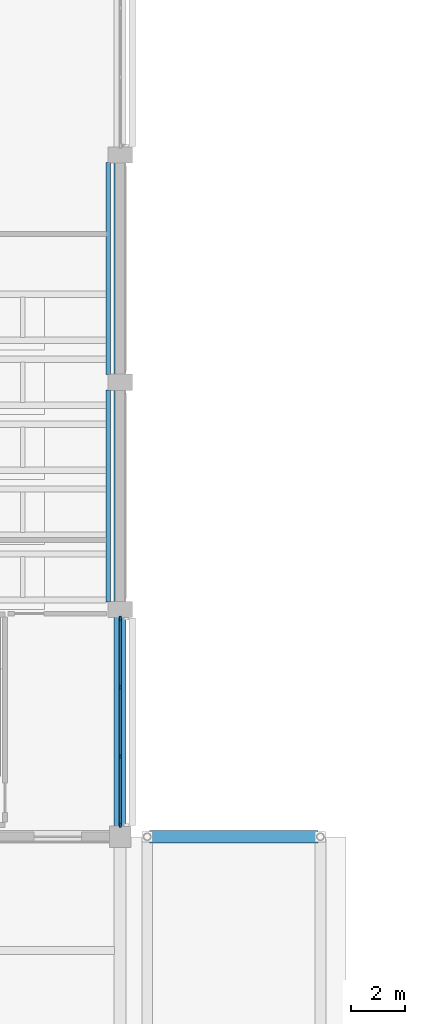
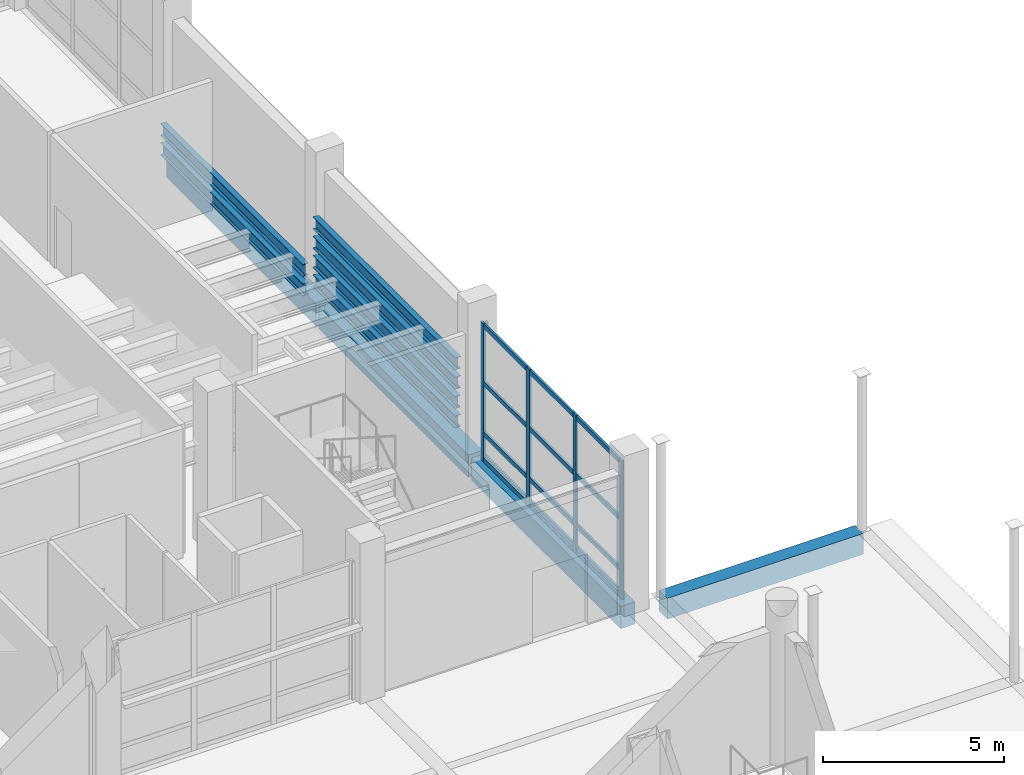
# One storey, part 38 of 140: 16 members, 10 beams, 1 element without a shape of its own.
"""IFC4 building model written with IfcOpenShell, lengths in metres."""

from ifc_helpers import new_model, si_unit, direction, frame, origin, origin_2d, place, context, subcontext, project, spatial, rectangle, i_section, extrude, material, layer, layer_set, material_profile, profile_set, type_object, element, aggregate, save


model = new_model("IFC4")

# Units and contexts
model_context = context("Model", 3, precision=1e-05, world=origin(), true_north=direction((0.0, 1.0)))
body_context = subcontext(model_context, "Body", "Model", "MODEL_VIEW")
ifc_project = project(units=[si_unit("LENGTHUNIT", "METRE"), si_unit("AREAUNIT", "SQUARE_METRE"), si_unit("VOLUMEUNIT", "CUBIC_METRE"), si_unit("PLANEANGLEUNIT", "RADIAN"), si_unit("MASSUNIT", "GRAM", prefix="KILO")], contexts=[model_context])

# Site, building, storey
site_placement = place(None, origin())
site = spatial("IfcSite", under=ifc_project, at=site_placement, CompositionType="ELEMENT")
building_placement = place(site_placement, origin())
building = spatial("IfcBuilding", under=site, at=building_placement, Name="Telukmera Botanical Conservatory", CompositionType="ELEMENT")
storey_placement = place(building_placement, origin())
storey = spatial("IfcBuildingStorey", under=building, at=storey_placement, Name="L00", CompositionType="ELEMENT", Elevation=0.0)

# Beams
ifc_material_1 = material(Name="Concrete C40/50", Category="concrete")
ifc_material_profile_1 = material_profile(ifc_material_1, rectangle(XDim=0.449951171875, YDim=0.699951171875, at=origin_2d()), Name="RC 450x700")
ifc_profile_set_1 = profile_set([ifc_material_profile_1], Name="Concrete C40/50")
beam_type_1 = type_object("IfcBeamType", Name="Beam_B15", PredefinedType="BEAM", material=ifc_profile_set_1)
beam_placement = place(storey_placement, frame((43.080078125, 83.199951171875, -0.35009765625), z_axis=(1.0, 0.0, 0.0), x_axis=(0.0, 1.0, 0.0)))
element("IfcBeam", 1, at=beam_placement, inside=storey, type_object=beam_type_1, Name="West Arcade Deck Transverse Beam L00", PredefinedType="BEAM", context=body_context, shape_type="SweptSolid", body=[
    extrude(rectangle(XDim=0.449951171875, YDim=0.699951171875, at=origin_2d()), origin(), (0.0, 0.0, 1.0), 6.239990234375),
])
ifc_material_profile_2 = material_profile(ifc_material_1, rectangle(XDim=0.449951171875, YDim=0.75, at=origin_2d()), Name="RC 450x750")
ifc_profile_set_2 = profile_set([ifc_material_profile_2], Name="Concrete C40/50")
beam_type_2 = type_object("IfcBeamType", Name="Beam_B6", PredefinedType="BEAM", material=ifc_profile_set_2)
for number, where, z_axis, x_axis, name in (
    (2, (42.0, 83.280029296875, -0.375), (0.0, 1.0, 0.0), (-1.0, 0.0, 0.0), "Auditorium Frame Beam beam:V2:L00:gy:420:832"),
    (3, (42.0, 91.679931640625, -0.375), (0.0, 1.0, 0.0), (-1.0, 0.0, 0.0), "Auditorium Frame Beam beam:V2:L00:gy:420:916"),
    (4, (42.0, 100.080078125, -0.375), (0.0, 1.0, 0.0), (-1.0, 0.0, 0.0), "Auditorium Frame Beam beam:V2:L00:gy:420:1000"),
):
    element("IfcBeam", number, at=place(storey_placement, frame(where, z_axis=z_axis, x_axis=x_axis)), inside=storey, type_object=beam_type_2, Name=name, PredefinedType="BEAM", context=body_context, shape_type="SweptSolid", body=[
        extrude(rectangle(XDim=0.449951171875, YDim=0.75, at=origin_2d()), origin(), (0.0, 0.0, 1.0), 8.239990234375),
    ])
ifc_material_2 = material(Name="Steel S355", Category="steel")
ifc_material_profile_3 = material_profile(ifc_material_2, i_section(OverallWidth=0.1787109375, OverallDepth=0.409423828125, WebThickness=0.0087890625, FlangeThickness=0.014404296875, FilletRadius=0.01025390625, at=origin_2d()), Name="UB 406x178x67")
ifc_profile_set_3 = profile_set([ifc_material_profile_3], Name="Steel S355")
beam_type_3 = type_object("IfcBeamType", Name="Beam_SB4", PredefinedType="BEAM", material=ifc_profile_set_3)
for number, where, z_axis, x_axis, name in (
    (5, (41.56005859375, 91.8798828125, 3.04541015625), (0.0, 1.0, 0.0), (-1.0, 0.0, 0.0), "Auditorium Tier Perimeter Stringer 1-A"),
    (6, (41.56005859375, 91.8798828125, 2.395263671875), (0.0, 1.0, 0.0), (-1.0, 0.0, 0.0), "Auditorium Tier Perimeter Stringer 2-A"),
    (7, (41.56005859375, 91.8798828125, 1.745361328125), (0.0, 1.0, 0.0), (-1.0, 0.0, 0.0), "Auditorium Tier Perimeter Stringer 3-A"),
    (8, (41.56005859375, 91.8798828125, 1.09521484375), (0.0, 1.0, 0.0), (-1.0, 0.0, 0.0), "Auditorium Tier Perimeter Stringer 4-A"),
    (9, (41.56005859375, 100.280029296875, 1.09521484375), (0.0, 1.0, 0.0), (-1.0, 0.0, 0.0), "Auditorium Tier Perimeter Stringer 4-B"),
    (10, (41.56005859375, 100.280029296875, 0.4453125), (0.0, 1.0, 0.0), (-1.0, 0.0, 0.0), "Auditorium Tier Perimeter Stringer 5-B"),
):
    element("IfcBeam", number, at=place(storey_placement, frame(where, z_axis=z_axis, x_axis=x_axis)), inside=storey, type_object=beam_type_3, Name=name, PredefinedType="BEAM", context=body_context, shape_type="SweptSolid", body=[
        extrude(i_section(OverallWidth=0.1787109375, OverallDepth=0.409423828125, WebThickness=0.0087890625, FlangeThickness=0.014404296875, FilletRadius=0.01025390625, at=origin_2d()), origin(), (0.0, 0.0, 1.0), 7.840087890625),
    ])

# Curtain wall, members
ifc_material_3 = material(Name="Anodised aluminium 6063-T6", Category="aluminium")
ifc_layer = layer(ifc_material_3, 0.179931640625)
ifc_layer_set = layer_set([ifc_layer], Name="Anodised aluminium 6063-T6")
curtain_wall_type = type_object("IfcCurtainWallType", Name="Auditorium Ground Foyer Acoustic Curtain Wall", PredefinedType="USERDEFINED", material=ifc_layer_set)
curtain_wall_placement = place(storey_placement, origin())
curtain_wall = element("IfcCurtainWall", 11, at=curtain_wall_placement, inside=storey, type_object=curtain_wall_type, Name="Unitised Curtain Wall CW04 V2:L00:E1", ObjectType="UNITISED CURTAIN WALL", PredefinedType="USERDEFINED")
ifc_material_profile_4 = material_profile(ifc_material_3, rectangle(XDim=0.070068359375, YDim=0.179931640625, at=origin_2d()), Name="ALU MULL 70x180")
ifc_profile_set_4 = profile_set([ifc_material_profile_4], Name="Anodised aluminium 6063-T6")
member_type_1 = type_object("IfcMemberType", Name="Curtain Wall Extruded Mullion 70x180", PredefinedType="MULLION", material=ifc_profile_set_4)
member_1_placement = place(storey_placement, frame((42.0, 83.636962890625, 0.0), z_axis=(0.0, 0.0, 1.0), x_axis=(-1.0, 0.0, 0.0)))
member_1 = element("IfcMember", 12, at=member_1_placement, type_object=member_type_1, Name="CW04 mullion 1", PredefinedType="MULLION", context=body_context, shape_type="SweptSolid", body=[
    extrude(rectangle(XDim=0.070068359375, YDim=0.179931640625, at=origin_2d()), origin(), (0.0, 0.0, 1.0), 4.64990234375),
])
member_2_placement = place(storey_placement, frame((42.0, 86.167236328125, 0.0), z_axis=(0.0, 0.0, 1.0), x_axis=(-1.0, 0.0, 0.0)))
member_2 = element("IfcMember", 13, at=member_2_placement, type_object=member_type_1, Name="CW04 mullion 2", PredefinedType="MULLION", context=body_context, shape_type="SweptSolid", body=[
    extrude(rectangle(XDim=0.070068359375, YDim=0.179931640625, at=origin_2d()), origin(), (0.0, 0.0, 1.0), 4.64990234375),
])
member_3_placement = place(storey_placement, frame((42.0, 88.732666015625, 0.0), z_axis=(0.0, 0.0, 1.0), x_axis=(-1.0, 0.0, 0.0)))
member_3 = element("IfcMember", 14, at=member_3_placement, type_object=member_type_1, Name="CW04 mullion 3", PredefinedType="MULLION", context=body_context, shape_type="SweptSolid", body=[
    extrude(rectangle(XDim=0.070068359375, YDim=0.179931640625, at=origin_2d()), origin(), (0.0, 0.0, 1.0), 4.64990234375),
])
member_4_placement = place(storey_placement, frame((42.0, 91.262939453125, 0.0), z_axis=(0.0, 0.0, 1.0), x_axis=(-1.0, 0.0, 0.0)))
member_4 = element("IfcMember", 15, at=member_4_placement, type_object=member_type_1, Name="CW04 mullion 4", PredefinedType="MULLION", context=body_context, shape_type="SweptSolid", body=[
    extrude(rectangle(XDim=0.070068359375, YDim=0.179931640625, at=origin_2d()), origin(), (0.0, 0.0, 1.0), 4.64990234375),
])
ifc_material_profile_5 = material_profile(ifc_material_3, rectangle(XDim=0.070068359375, YDim=0.14990234375, at=origin_2d()), Name="ALU TRAN 70x150")
ifc_profile_set_5 = profile_set([ifc_material_profile_5], Name="Anodised aluminium 6063-T6")
member_type_2 = type_object("IfcMemberType", Name="Curtain Wall Extruded Transom 70x150", PredefinedType="USERDEFINED", material=ifc_profile_set_5)
member_5_placement = place(storey_placement, frame((42.0, 83.672119140625, 0.074951171875), z_axis=(0.0, 1.0, 0.0), x_axis=(-1.0, 0.0, 0.0)))
member_5 = element("IfcMember", 16, at=member_5_placement, type_object=member_type_2, Name="CW04 transom 1.1", ObjectType="TRANSOM", PredefinedType="USERDEFINED", context=body_context, shape_type="SweptSolid", body=[
    extrude(rectangle(XDim=0.070068359375, YDim=0.14990234375, at=origin_2d()), origin(), (0.0, 0.0, 1.0), 2.460205078125),
])
member_6_placement = place(storey_placement, frame((42.0, 83.672119140625, 0.949951171875), z_axis=(0.0, 1.0, 0.0), x_axis=(-1.0, 0.0, 0.0)))
member_6 = element("IfcMember", 17, at=member_6_placement, type_object=member_type_2, Name="CW04 transom 1.2", ObjectType="TRANSOM", PredefinedType="USERDEFINED", context=body_context, shape_type="SweptSolid", body=[
    extrude(rectangle(XDim=0.070068359375, YDim=0.14990234375, at=origin_2d()), origin(), (0.0, 0.0, 1.0), 2.460205078125),
])
member_7_placement = place(storey_placement, frame((42.0, 83.672119140625, 2.64990234375), z_axis=(0.0, 1.0, 0.0), x_axis=(-1.0, 0.0, 0.0)))
member_7 = element("IfcMember", 18, at=member_7_placement, type_object=member_type_2, Name="CW04 transom 1.3", ObjectType="TRANSOM", PredefinedType="USERDEFINED", context=body_context, shape_type="SweptSolid", body=[
    extrude(rectangle(XDim=0.070068359375, YDim=0.14990234375, at=origin_2d()), origin(), (0.0, 0.0, 1.0), 2.460205078125),
])
member_8_placement = place(storey_placement, frame((42.0, 83.672119140625, 4.574951171875), z_axis=(0.0, 1.0, 0.0), x_axis=(-1.0, 0.0, 0.0)))
member_8 = element("IfcMember", 19, at=member_8_placement, type_object=member_type_2, Name="CW04 transom 1.4", ObjectType="TRANSOM", PredefinedType="USERDEFINED", context=body_context, shape_type="SweptSolid", body=[
    extrude(rectangle(XDim=0.070068359375, YDim=0.14990234375, at=origin_2d()), origin(), (0.0, 0.0, 1.0), 2.460205078125),
])
member_9_placement = place(storey_placement, frame((42.0, 86.202392578125, 0.074951171875), z_axis=(0.0, 1.0, 0.0), x_axis=(-1.0, 0.0, 0.0)))
member_9 = element("IfcMember", 20, at=member_9_placement, type_object=member_type_2, Name="CW04 transom 2.1", ObjectType="TRANSOM", PredefinedType="USERDEFINED", context=body_context, shape_type="SweptSolid", body=[
    extrude(rectangle(XDim=0.070068359375, YDim=0.14990234375, at=origin_2d()), origin(), (0.0, 0.0, 1.0), 2.495361328125),
])
member_10_placement = place(storey_placement, frame((42.0, 86.202392578125, 0.949951171875), z_axis=(0.0, 1.0, 0.0), x_axis=(-1.0, 0.0, 0.0)))
member_10 = element("IfcMember", 21, at=member_10_placement, type_object=member_type_2, Name="CW04 transom 2.2", ObjectType="TRANSOM", PredefinedType="USERDEFINED", context=body_context, shape_type="SweptSolid", body=[
    extrude(rectangle(XDim=0.070068359375, YDim=0.14990234375, at=origin_2d()), origin(), (0.0, 0.0, 1.0), 2.495361328125),
])
member_11_placement = place(storey_placement, frame((42.0, 86.202392578125, 2.64990234375), z_axis=(0.0, 1.0, 0.0), x_axis=(-1.0, 0.0, 0.0)))
member_11 = element("IfcMember", 22, at=member_11_placement, type_object=member_type_2, Name="CW04 transom 2.3", ObjectType="TRANSOM", PredefinedType="USERDEFINED", context=body_context, shape_type="SweptSolid", body=[
    extrude(rectangle(XDim=0.070068359375, YDim=0.14990234375, at=origin_2d()), origin(), (0.0, 0.0, 1.0), 2.495361328125),
])
member_12_placement = place(storey_placement, frame((42.0, 86.202392578125, 4.574951171875), z_axis=(0.0, 1.0, 0.0), x_axis=(-1.0, 0.0, 0.0)))
member_12 = element("IfcMember", 23, at=member_12_placement, type_object=member_type_2, Name="CW04 transom 2.4", ObjectType="TRANSOM", PredefinedType="USERDEFINED", context=body_context, shape_type="SweptSolid", body=[
    extrude(rectangle(XDim=0.070068359375, YDim=0.14990234375, at=origin_2d()), origin(), (0.0, 0.0, 1.0), 2.495361328125),
])
member_13_placement = place(storey_placement, frame((42.0, 88.767578125, 0.074951171875), z_axis=(0.0, 1.0, 0.0), x_axis=(-1.0, 0.0, 0.0)))
member_13 = element("IfcMember", 24, at=member_13_placement, type_object=member_type_2, Name="CW04 transom 3.1", ObjectType="TRANSOM", PredefinedType="USERDEFINED", context=body_context, shape_type="SweptSolid", body=[
    extrude(rectangle(XDim=0.070068359375, YDim=0.14990234375, at=origin_2d()), origin(), (0.0, 0.0, 1.0), 2.46044921875),
])
member_14_placement = place(storey_placement, frame((42.0, 88.767578125, 0.949951171875), z_axis=(0.0, 1.0, 0.0), x_axis=(-1.0, 0.0, 0.0)))
member_14 = element("IfcMember", 25, at=member_14_placement, type_object=member_type_2, Name="CW04 transom 3.2", ObjectType="TRANSOM", PredefinedType="USERDEFINED", context=body_context, shape_type="SweptSolid", body=[
    extrude(rectangle(XDim=0.070068359375, YDim=0.14990234375, at=origin_2d()), origin(), (0.0, 0.0, 1.0), 2.46044921875),
])
member_15_placement = place(storey_placement, frame((42.0, 88.767578125, 2.64990234375), z_axis=(0.0, 1.0, 0.0), x_axis=(-1.0, 0.0, 0.0)))
member_15 = element("IfcMember", 26, at=member_15_placement, type_object=member_type_2, Name="CW04 transom 3.3", ObjectType="TRANSOM", PredefinedType="USERDEFINED", context=body_context, shape_type="SweptSolid", body=[
    extrude(rectangle(XDim=0.070068359375, YDim=0.14990234375, at=origin_2d()), origin(), (0.0, 0.0, 1.0), 2.46044921875),
])
member_16_placement = place(storey_placement, frame((42.0, 88.767578125, 4.574951171875), z_axis=(0.0, 1.0, 0.0), x_axis=(-1.0, 0.0, 0.0)))
member_16 = element("IfcMember", 27, at=member_16_placement, type_object=member_type_2, Name="CW04 transom 3.4", ObjectType="TRANSOM", PredefinedType="USERDEFINED", context=body_context, shape_type="SweptSolid", body=[
    extrude(rectangle(XDim=0.070068359375, YDim=0.14990234375, at=origin_2d()), origin(), (0.0, 0.0, 1.0), 2.46044921875),
])
aggregate(curtain_wall, [member_1, member_2, member_3, member_4, member_5, member_6, member_7, member_8, member_9, member_10, member_11, member_12, member_13, member_14, member_15, member_16])

save(model, "model.ifc")
